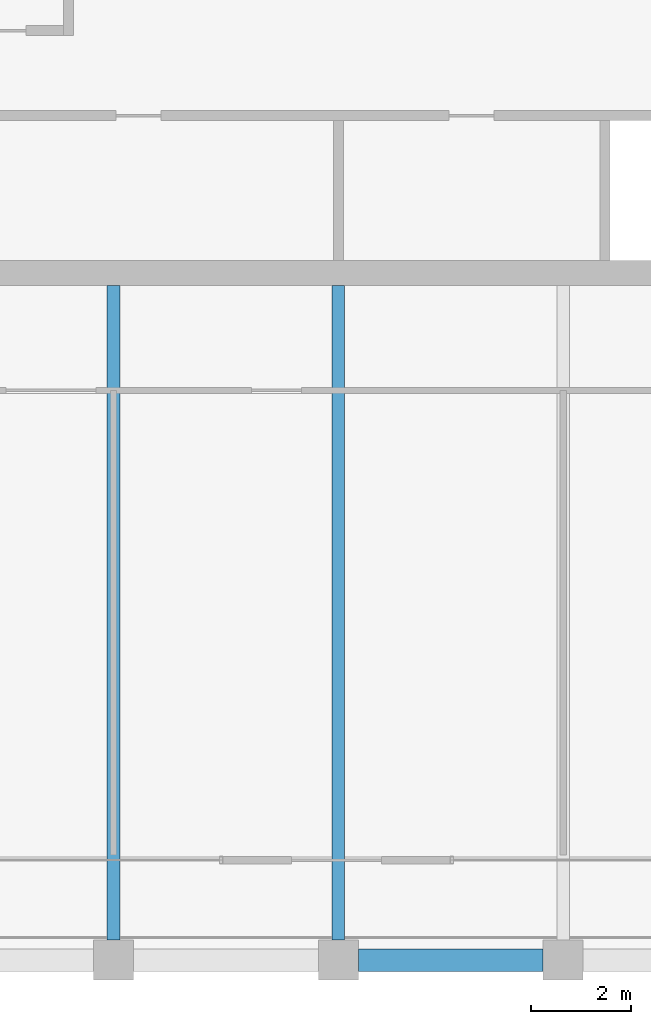
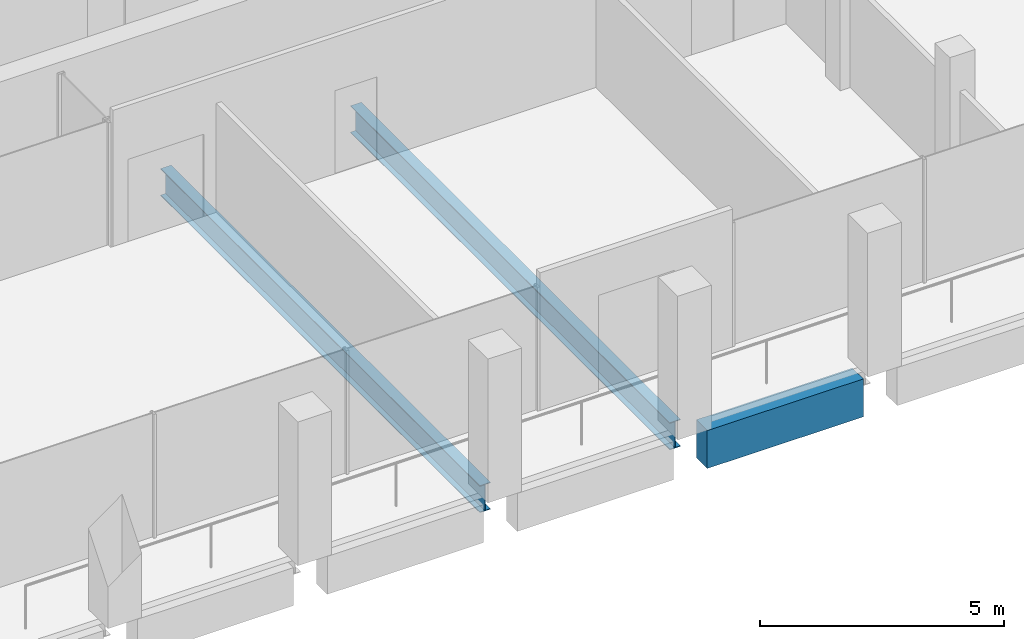
# One storey, part 8 of 40: 3 beams.
"""IFC4 building model written with IfcOpenShell, lengths in metres."""

from ifc_helpers import new_model, si_unit, direction, frame, origin, origin_2d, place, context, subcontext, project, spatial, rectangle, i_section, extrude, material, material_profile, profile_set, type_object, element, save


model = new_model("IFC4")

# Units and contexts
model_context = context("Model", 3, precision=1e-05, world=origin(), true_north=direction((0.0, 1.0)))
body_context = subcontext(model_context, "Body", "Model", "MODEL_VIEW")
ifc_project = project(units=[si_unit("LENGTHUNIT", "METRE"), si_unit("AREAUNIT", "SQUARE_METRE"), si_unit("VOLUMEUNIT", "CUBIC_METRE"), si_unit("PLANEANGLEUNIT", "RADIAN"), si_unit("MASSUNIT", "GRAM", prefix="KILO")], contexts=[model_context])

# Site, building, storey
site_placement = place(None, origin())
site = spatial("IfcSite", under=ifc_project, at=site_placement, CompositionType="ELEMENT")
building_placement = place(site_placement, origin())
building = spatial("IfcBuilding", under=site, at=building_placement, Name="Altepetl Exchange Towers", CompositionType="ELEMENT")
storey_placement = place(building_placement, frame((0.0, 0.0, 202.800048828125)))
storey = spatial("IfcBuildingStorey", under=building, at=storey_placement, Name="L51", CompositionType="ELEMENT", Elevation=202.800048828125)

# Beams
ifc_material_1 = material(Name="Steel S355", Category="steel")
ifc_material_profile_1 = material_profile(ifc_material_1, i_section(OverallWidth=0.2529296875, OverallDepth=0.677978515625, WebThickness=0.01171875, FlangeThickness=0.016357421875, at=origin_2d()), Name="W27X84")
ifc_profile_set_1 = profile_set([ifc_material_profile_1], Name="Steel S355")
beam_type_1 = type_object("IfcBeamType", Name="Floor beam W27X84", PredefinedType="BEAM", material=ifc_profile_set_1)
for number, where, z_axis, x_axis, name in (
    (1, (45.0, 27.39990234375, -0.489013671875), (0.0, 1.0, 0.0), (-1.0, 0.0, 0.0), "bm:A:L51:015"),
    (2, (49.5, 27.39990234375, -0.489013671875), (0.0, 1.0, 0.0), (-1.0, 0.0, 0.0), "bm:A:L51:016"),
):
    element("IfcBeam", number, at=place(storey_placement, frame(where, z_axis=z_axis, x_axis=x_axis)), inside=storey, type_object=beam_type_1, Name=name, PredefinedType="BEAM", context=body_context, shape_type="SweptSolid", body=[
        extrude(i_section(OverallWidth=0.2529296875, OverallDepth=0.677978515625, WebThickness=0.01171875, FlangeThickness=0.016357421875, at=origin_2d()), origin(), (0.0, 0.0, 1.0), 13.10009765625),
    ])
ifc_material_2 = material(Name="Concrete C50/60 precast with cantera blanca facing", Category="concrete")
ifc_material_profile_2 = material_profile(ifc_material_2, rectangle(XDim=0.449951171875, YDim=0.949951171875, at=origin_2d()), Name="450 x 950")
ifc_profile_set_2 = profile_set([ifc_material_profile_2], Name="Concrete C50/60 precast with cantera blanca facing")
beam_type_2 = type_object("IfcBeamType", Name="Spandrel beam 450x950 cantera blanca", PredefinedType="SPANDREL", material=ifc_profile_set_2)
beam_placement = place(storey_placement, frame((49.89990234375, 27.0, -0.625), z_axis=(1.0, 0.0, 0.0), x_axis=(0.0, 1.0, 0.0)))
element("IfcBeam", 3, at=beam_placement, inside=storey, type_object=beam_type_2, Name="sp:A:L51:004", PredefinedType="SPANDREL", context=body_context, shape_type="SweptSolid", body=[
    extrude(rectangle(XDim=0.449951171875, YDim=0.949951171875, at=origin_2d()), origin(), (0.0, 0.0, 1.0), 3.7001953125),
])

save(model, "model.ifc")
